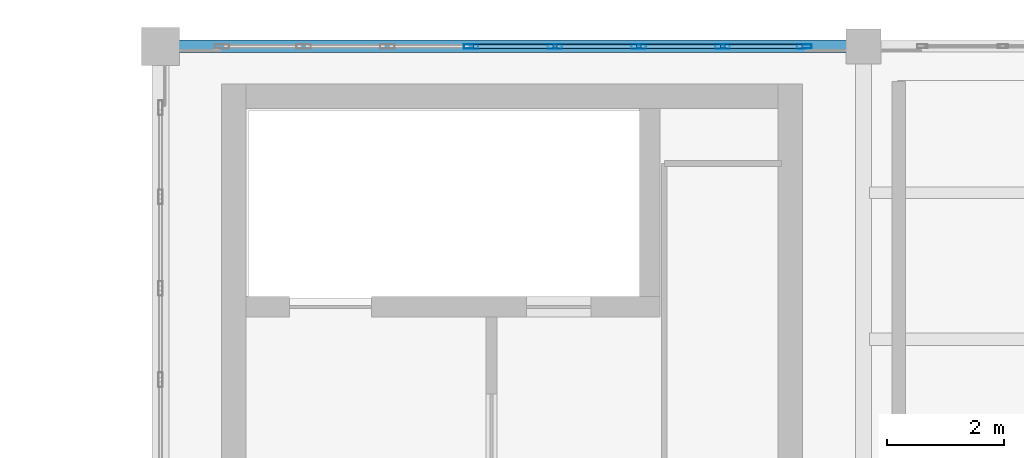
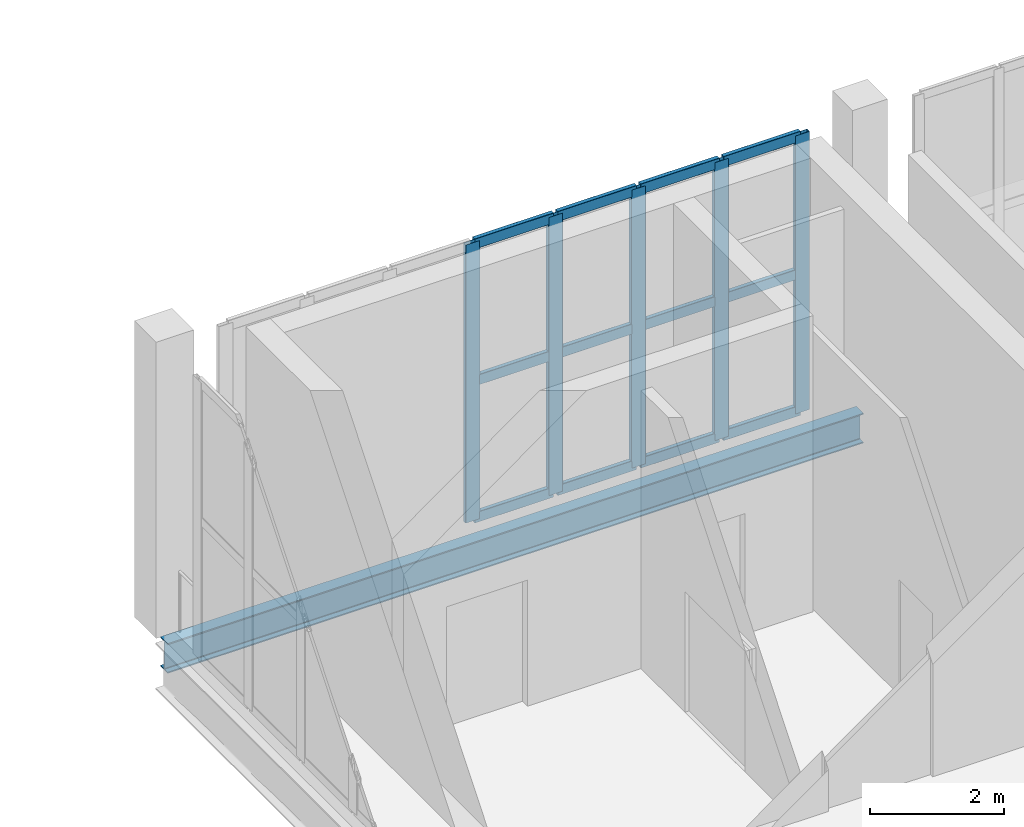
# One storey, part 20 of 74: 17 members, 1 beam, 1 element without a shape of its own.
"""IFC4 building model written with IfcOpenShell, lengths in metres."""

from ifc_helpers import new_model, si_unit, direction, frame, origin, origin_2d, place, context, subcontext, project, spatial, hollow_rectangle, i_section, extrude, material, layer, layer_set, material_profile, profile_set, type_object, element, aggregate, save


model = new_model("IFC4")

# Units and contexts
model_context = context("Model", 3, precision=1e-05, world=origin(), true_north=direction((0.0, 1.0)))
body_context = subcontext(model_context, "Body", "Model", "MODEL_VIEW")
ifc_project = project(units=[si_unit("LENGTHUNIT", "METRE"), si_unit("AREAUNIT", "SQUARE_METRE"), si_unit("VOLUMEUNIT", "CUBIC_METRE"), si_unit("PLANEANGLEUNIT", "RADIAN"), si_unit("MASSUNIT", "GRAM", prefix="KILO")], contexts=[model_context])

# Site, building, storey
site_placement = place(None, origin())
site = spatial("IfcSite", under=ifc_project, at=site_placement, CompositionType="ELEMENT")
building_placement = place(site_placement, origin())
building = spatial("IfcBuilding", under=site, at=building_placement, Name="Brinegate Civic Arena", CompositionType="ELEMENT")
storey_placement = place(building_placement, frame((0.0, 0.0, 19.199951171875)))
storey = spatial("IfcBuildingStorey", under=building, at=storey_placement, Name="L04", CompositionType="ELEMENT", Elevation=19.199951171875)

# Curtain wall, members
ifc_material_1 = material(Name="Marine grade aluminium", Category="aluminium")
ifc_layer = layer(ifc_material_1, 0.235107421875, Name="Marine grade aluminium")
ifc_layer_set = layer_set([ifc_layer], Name="Marine grade aluminium")
curtain_wall_type = type_object("IfcCurtainWallType", Name="CW-PORTAL-NORTH-01", PredefinedType="USERDEFINED", material=ifc_layer_set)
curtain_wall_placement = place(storey_placement, origin())
curtain_wall = element("IfcCurtainWall", 1, at=curtain_wall_placement, inside=storey, type_object=curtain_wall_type, Name="Curtain Wall CWA-144", ObjectType="PORTAL CURTAIN WALL", PredefinedType="USERDEFINED")
ifc_material_profile_1 = material_profile(ifc_material_1, hollow_rectangle(XDim=0.074951171875, YDim=0.25, WallThickness=0.006103515625, InnerFilletRadius=0.00390625, OuterFilletRadius=0.008056640625, at=origin_2d()), Name="MUL75X250")
ifc_profile_set_1 = profile_set([ifc_material_profile_1], Name="Marine grade aluminium")
member_type_1 = type_object("IfcMemberType", Name="CW-MULLION-75X250", PredefinedType="MULLION", material=ifc_profile_set_1)
member_1_placement = place(storey_placement, frame((89.302490234375, 124.0, 0.0), z_axis=(0.0, 0.0, 1.0), x_axis=(0.0, 1.0, 0.0)))
member_1 = element("IfcMember", 2, at=member_1_placement, type_object=member_type_1, Name="CWA-144 mullion 4", PredefinedType="MULLION", context=body_context, shape_type="SweptSolid", body=[
    extrude(hollow_rectangle(XDim=0.074951171875, YDim=0.25, WallThickness=0.006103515625, InnerFilletRadius=0.00390625, OuterFilletRadius=0.008056640625, at=origin_2d()), origin(), (0.0, 0.0, 1.0), 5.070068359375),
])
member_2_placement = place(storey_placement, frame((90.7333984375, 124.0, 0.0), z_axis=(0.0, 0.0, 1.0), x_axis=(0.0, 1.0, 0.0)))
member_2 = element("IfcMember", 3, at=member_2_placement, type_object=member_type_1, Name="CWA-144 mullion 5", PredefinedType="MULLION", context=body_context, shape_type="SweptSolid", body=[
    extrude(hollow_rectangle(XDim=0.074951171875, YDim=0.25, WallThickness=0.006103515625, InnerFilletRadius=0.00390625, OuterFilletRadius=0.008056640625, at=origin_2d()), origin(), (0.0, 0.0, 1.0), 5.070068359375),
])
member_3_placement = place(storey_placement, frame((92.164306640625, 124.0, 0.0), z_axis=(0.0, 0.0, 1.0), x_axis=(0.0, 1.0, 0.0)))
member_3 = element("IfcMember", 4, at=member_3_placement, type_object=member_type_1, Name="CWA-144 mullion 6", PredefinedType="MULLION", context=body_context, shape_type="SweptSolid", body=[
    extrude(hollow_rectangle(XDim=0.074951171875, YDim=0.25, WallThickness=0.006103515625, InnerFilletRadius=0.00390625, OuterFilletRadius=0.008056640625, at=origin_2d()), origin(), (0.0, 0.0, 1.0), 5.070068359375),
])
member_4_placement = place(storey_placement, frame((93.59521484375, 124.0, 0.0), z_axis=(0.0, 0.0, 1.0), x_axis=(0.0, 1.0, 0.0)))
member_4 = element("IfcMember", 5, at=member_4_placement, type_object=member_type_1, Name="CWA-144 mullion 7", PredefinedType="MULLION", context=body_context, shape_type="SweptSolid", body=[
    extrude(hollow_rectangle(XDim=0.074951171875, YDim=0.25, WallThickness=0.006103515625, InnerFilletRadius=0.00390625, OuterFilletRadius=0.008056640625, at=origin_2d()), origin(), (0.0, 0.0, 1.0), 5.070068359375),
])
member_5_placement = place(storey_placement, frame((94.988525390625, 124.0, 0.0), z_axis=(0.0, 0.0, 1.0), x_axis=(0.0, 1.0, 0.0)))
member_5 = element("IfcMember", 6, at=member_5_placement, type_object=member_type_1, Name="CWA-144 mullion 8", PredefinedType="MULLION", context=body_context, shape_type="SweptSolid", body=[
    extrude(hollow_rectangle(XDim=0.074951171875, YDim=0.25, WallThickness=0.006103515625, InnerFilletRadius=0.00390625, OuterFilletRadius=0.008056640625, at=origin_2d()), origin(), (0.0, 0.0, 1.0), 5.070068359375),
])
ifc_material_profile_2 = material_profile(ifc_material_1, hollow_rectangle(XDim=0.074951171875, YDim=0.18994140625, WallThickness=0.006103515625, InnerFilletRadius=0.00390625, OuterFilletRadius=0.008056640625, at=origin_2d()), Name="TRN75X190")
ifc_profile_set_2 = profile_set([ifc_material_profile_2], Name="Marine grade aluminium")
member_type_2 = type_object("IfcMemberType", Name="CW-TRANSOM-75X190", PredefinedType="USERDEFINED", material=ifc_profile_set_2)
member_6_placement = place(storey_placement, frame((89.340087890625, 124.0, 0.03759765625), z_axis=(1.0, 0.0, 0.0), x_axis=(0.0, 1.0, 0.0)))
member_6 = element("IfcMember", 7, at=member_6_placement, type_object=member_type_2, Name="CWA-144 transom 4.1", ObjectType="TRANSOM", PredefinedType="USERDEFINED", context=body_context, shape_type="SweptSolid", body=[
    extrude(hollow_rectangle(XDim=0.074951171875, YDim=0.18994140625, WallThickness=0.006103515625, InnerFilletRadius=0.00390625, OuterFilletRadius=0.008056640625, at=origin_2d()), origin(), (0.0, 0.0, 1.0), 1.35595703125),
])
member_7_placement = place(storey_placement, frame((89.340087890625, 124.0, 2.53515625), z_axis=(1.0, 0.0, 0.0), x_axis=(0.0, 1.0, 0.0)))
member_7 = element("IfcMember", 8, at=member_7_placement, type_object=member_type_2, Name="CWA-144 transom 4.2", ObjectType="TRANSOM", PredefinedType="USERDEFINED", context=body_context, shape_type="SweptSolid", body=[
    extrude(hollow_rectangle(XDim=0.074951171875, YDim=0.18994140625, WallThickness=0.006103515625, InnerFilletRadius=0.00390625, OuterFilletRadius=0.008056640625, at=origin_2d()), origin(), (0.0, 0.0, 1.0), 1.35595703125),
])
member_8_placement = place(storey_placement, frame((89.340087890625, 124.0, 5.032470703125), z_axis=(1.0, 0.0, 0.0), x_axis=(0.0, 1.0, 0.0)))
member_8 = element("IfcMember", 9, at=member_8_placement, type_object=member_type_2, Name="CWA-144 transom 4.3", ObjectType="TRANSOM", PredefinedType="USERDEFINED", context=body_context, shape_type="SweptSolid", body=[
    extrude(hollow_rectangle(XDim=0.074951171875, YDim=0.18994140625, WallThickness=0.006103515625, InnerFilletRadius=0.00390625, OuterFilletRadius=0.008056640625, at=origin_2d()), origin(), (0.0, 0.0, 1.0), 1.35595703125),
])
member_9_placement = place(storey_placement, frame((90.77099609375, 124.0, 0.03759765625), z_axis=(1.0, 0.0, 0.0), x_axis=(0.0, 1.0, 0.0)))
member_9 = element("IfcMember", 10, at=member_9_placement, type_object=member_type_2, Name="CWA-144 transom 5.1", ObjectType="TRANSOM", PredefinedType="USERDEFINED", context=body_context, shape_type="SweptSolid", body=[
    extrude(hollow_rectangle(XDim=0.074951171875, YDim=0.18994140625, WallThickness=0.006103515625, InnerFilletRadius=0.00390625, OuterFilletRadius=0.008056640625, at=origin_2d()), origin(), (0.0, 0.0, 1.0), 1.355712890625),
])
member_10_placement = place(storey_placement, frame((90.77099609375, 124.0, 2.53515625), z_axis=(1.0, 0.0, 0.0), x_axis=(0.0, 1.0, 0.0)))
member_10 = element("IfcMember", 11, at=member_10_placement, type_object=member_type_2, Name="CWA-144 transom 5.2", ObjectType="TRANSOM", PredefinedType="USERDEFINED", context=body_context, shape_type="SweptSolid", body=[
    extrude(hollow_rectangle(XDim=0.074951171875, YDim=0.18994140625, WallThickness=0.006103515625, InnerFilletRadius=0.00390625, OuterFilletRadius=0.008056640625, at=origin_2d()), origin(), (0.0, 0.0, 1.0), 1.355712890625),
])
member_11_placement = place(storey_placement, frame((90.77099609375, 124.0, 5.032470703125), z_axis=(1.0, 0.0, 0.0), x_axis=(0.0, 1.0, 0.0)))
member_11 = element("IfcMember", 12, at=member_11_placement, type_object=member_type_2, Name="CWA-144 transom 5.3", ObjectType="TRANSOM", PredefinedType="USERDEFINED", context=body_context, shape_type="SweptSolid", body=[
    extrude(hollow_rectangle(XDim=0.074951171875, YDim=0.18994140625, WallThickness=0.006103515625, InnerFilletRadius=0.00390625, OuterFilletRadius=0.008056640625, at=origin_2d()), origin(), (0.0, 0.0, 1.0), 1.355712890625),
])
member_12_placement = place(storey_placement, frame((92.201904296875, 124.0, 0.03759765625), z_axis=(1.0, 0.0, 0.0), x_axis=(0.0, 1.0, 0.0)))
member_12 = element("IfcMember", 13, at=member_12_placement, type_object=member_type_2, Name="CWA-144 transom 6.1", ObjectType="TRANSOM", PredefinedType="USERDEFINED", context=body_context, shape_type="SweptSolid", body=[
    extrude(hollow_rectangle(XDim=0.074951171875, YDim=0.18994140625, WallThickness=0.006103515625, InnerFilletRadius=0.00390625, OuterFilletRadius=0.008056640625, at=origin_2d()), origin(), (0.0, 0.0, 1.0), 1.355712890625),
])
member_13_placement = place(storey_placement, frame((92.201904296875, 124.0, 2.53515625), z_axis=(1.0, 0.0, 0.0), x_axis=(0.0, 1.0, 0.0)))
member_13 = element("IfcMember", 14, at=member_13_placement, type_object=member_type_2, Name="CWA-144 transom 6.2", ObjectType="TRANSOM", PredefinedType="USERDEFINED", context=body_context, shape_type="SweptSolid", body=[
    extrude(hollow_rectangle(XDim=0.074951171875, YDim=0.18994140625, WallThickness=0.006103515625, InnerFilletRadius=0.00390625, OuterFilletRadius=0.008056640625, at=origin_2d()), origin(), (0.0, 0.0, 1.0), 1.355712890625),
])
member_14_placement = place(storey_placement, frame((92.201904296875, 124.0, 5.032470703125), z_axis=(1.0, 0.0, 0.0), x_axis=(0.0, 1.0, 0.0)))
member_14 = element("IfcMember", 15, at=member_14_placement, type_object=member_type_2, Name="CWA-144 transom 6.3", ObjectType="TRANSOM", PredefinedType="USERDEFINED", context=body_context, shape_type="SweptSolid", body=[
    extrude(hollow_rectangle(XDim=0.074951171875, YDim=0.18994140625, WallThickness=0.006103515625, InnerFilletRadius=0.00390625, OuterFilletRadius=0.008056640625, at=origin_2d()), origin(), (0.0, 0.0, 1.0), 1.355712890625),
])
member_15_placement = place(storey_placement, frame((93.632568359375, 124.0, 0.03759765625), z_axis=(1.0, 0.0, 0.0), x_axis=(0.0, 1.0, 0.0)))
member_15 = element("IfcMember", 16, at=member_15_placement, type_object=member_type_2, Name="CWA-144 transom 7.1", ObjectType="TRANSOM", PredefinedType="USERDEFINED", context=body_context, shape_type="SweptSolid", body=[
    extrude(hollow_rectangle(XDim=0.074951171875, YDim=0.18994140625, WallThickness=0.006103515625, InnerFilletRadius=0.00390625, OuterFilletRadius=0.008056640625, at=origin_2d()), origin(), (0.0, 0.0, 1.0), 1.318359375),
])
member_16_placement = place(storey_placement, frame((93.632568359375, 124.0, 2.53515625), z_axis=(1.0, 0.0, 0.0), x_axis=(0.0, 1.0, 0.0)))
member_16 = element("IfcMember", 17, at=member_16_placement, type_object=member_type_2, Name="CWA-144 transom 7.2", ObjectType="TRANSOM", PredefinedType="USERDEFINED", context=body_context, shape_type="SweptSolid", body=[
    extrude(hollow_rectangle(XDim=0.074951171875, YDim=0.18994140625, WallThickness=0.006103515625, InnerFilletRadius=0.00390625, OuterFilletRadius=0.008056640625, at=origin_2d()), origin(), (0.0, 0.0, 1.0), 1.318359375),
])
member_17_placement = place(storey_placement, frame((93.632568359375, 124.0, 5.032470703125), z_axis=(1.0, 0.0, 0.0), x_axis=(0.0, 1.0, 0.0)))
member_17 = element("IfcMember", 18, at=member_17_placement, type_object=member_type_2, Name="CWA-144 transom 7.3", ObjectType="TRANSOM", PredefinedType="USERDEFINED", context=body_context, shape_type="SweptSolid", body=[
    extrude(hollow_rectangle(XDim=0.074951171875, YDim=0.18994140625, WallThickness=0.006103515625, InnerFilletRadius=0.00390625, OuterFilletRadius=0.008056640625, at=origin_2d()), origin(), (0.0, 0.0, 1.0), 1.318359375),
])
aggregate(curtain_wall, [member_1, member_2, member_3, member_4, member_5, member_6, member_7, member_8, member_9, member_10, member_11, member_12, member_13, member_14, member_15, member_16, member_17])

# Beam
ifc_material_2 = material(Name="Steel S355", Category="steel")
ifc_material_profile_3 = material_profile(ifc_material_2, i_section(OverallWidth=0.2119140625, OverallDepth=0.5439453125, WebThickness=0.012939453125, FlangeThickness=0.02099609375, FilletRadius=0.01611328125, at=origin_2d()), Name="W530X123")
ifc_profile_set_3 = profile_set([ifc_material_profile_3], Name="Steel S355")
beam_type = type_object("IfcBeamType", Name="SPANDREL-W530X123", PredefinedType="SPANDREL", material=ifc_profile_set_3)
beam_placement = place(storey_placement, frame((84.0, 124.0, -0.612060546875), z_axis=(1.0, 0.0, 0.0), x_axis=(0.0, 1.0, 0.0)))
element("IfcBeam", 19, at=beam_placement, inside=storey, type_object=beam_type, Name="Floor Girder BM-L04-GX-07-12", PredefinedType="SPANDREL", context=body_context, shape_type="SweptSolid", body=[
    extrude(i_section(OverallWidth=0.2119140625, OverallDepth=0.5439453125, WebThickness=0.012939453125, FlangeThickness=0.02099609375, FilletRadius=0.01611328125, at=origin_2d()), origin(), (0.0, 0.0, 1.0), 12.0),
])

save(model, "model.ifc")
